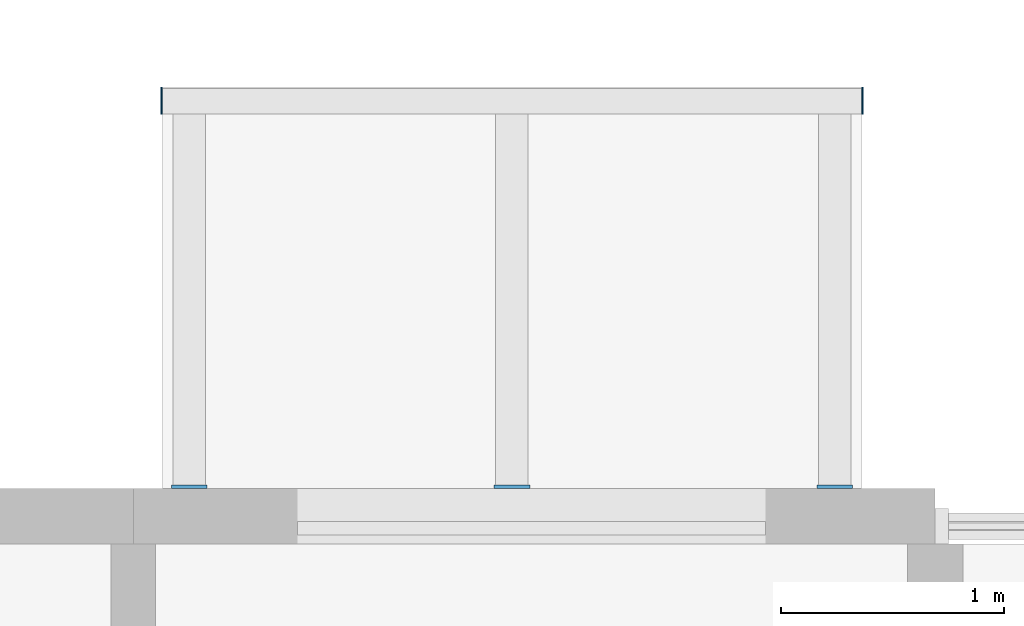
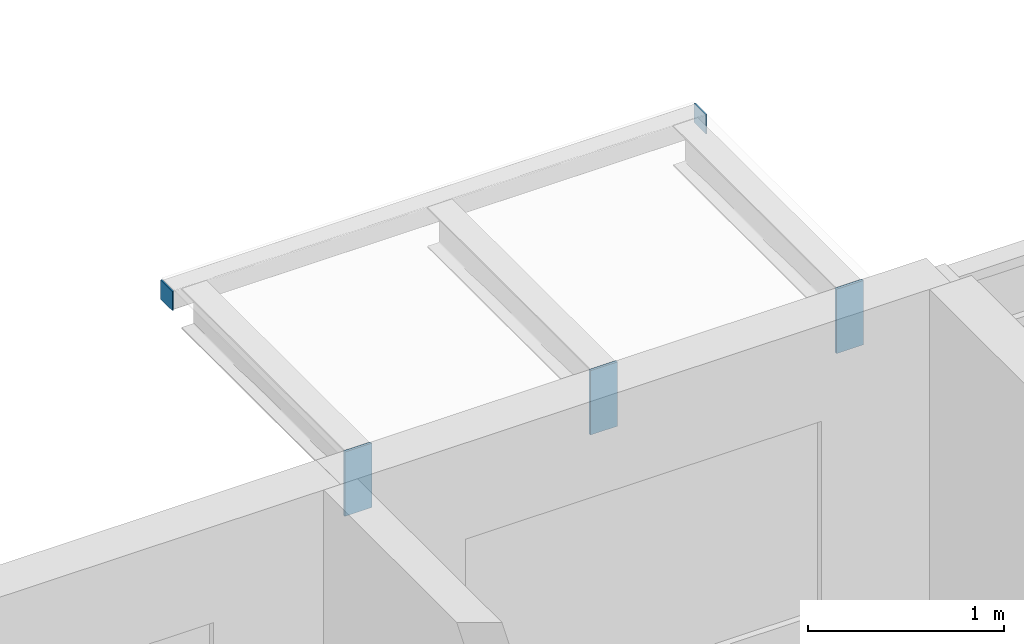
# One storey, part 81 of 115: 5 discrete accessories.
"""IFC4 building model written with IfcOpenShell, lengths in metres."""

import ifcopenshell
import ifcopenshell.guid

model = None  # the IFC model being written
_history = None  # IfcOwnerHistory: only IFC2X3 demands one
_inside = {}  # id of a spatial element -> (the spatial element, [elements in it])
_under = {}  # id of a project, library or spatial element -> (it, [spatial elements below it])
_declared = {}  # id of a project -> (the project, [libraries it declares])
_typed = {}  # id of a type object -> (the type object, [elements of that type])
_made_of = {}  # id of a material, layer set ... -> (it, [elements and type objects made of it])


def new_model(schema):
    """Start an empty IFC model of exactly this schema.

    Asked for "IFC4X3", IfcOpenShell would pick the latest addendum, in which some entities
    have other attributes; the version numbers below select the first issue.
    IFC2X3 requires an IfcOwnerHistory on every rooted entity: one is made here for all.
    """
    global model, _history
    if schema == "IFC4X3":
        model = ifcopenshell.file(schema_version=(4, 3, 0, 0))
    else:
        model = ifcopenshell.file(schema=schema)
    _inside.clear()
    _under.clear()
    _declared.clear()
    _typed.clear()
    _made_of.clear()
    _history = None
    if model.schema == "IFC2X3":
        org = make("IfcOrganization", Name="unknown")
        user = make(
            "IfcPersonAndOrganization",
            ThePerson=make("IfcPerson", FamilyName="unknown"),
            TheOrganization=org,
        )
        app = make(
            "IfcApplication",
            ApplicationDeveloper=org,
            Version="unknown",
            ApplicationFullName="unknown",
            ApplicationIdentifier="unknown",
        )
        _history = make(
            "IfcOwnerHistory",
            OwningUser=user,
            OwningApplication=app,
            ChangeAction="ADDED",
            CreationDate=0,
        )
    return model


def make(cls, **values):
    """One entity of the class cls with the attributes given. An attribute that is None is left unset."""
    return model.create_entity(
        cls, **{name: value for name, value in values.items() if value is not None}
    )


def rooted(cls, **values):
    """An entity with a GlobalId (a new one), such as an element, a storey or a relation."""
    return make(cls, GlobalId=ifcopenshell.guid.new(), OwnerHistory=_history, **values)


def si_unit(unit_type, name, prefix=None):
    """IfcSIUnit, for example si_unit("LENGTHUNIT", "METRE", prefix="MILLI")."""
    return make("IfcSIUnit", UnitType=unit_type, Prefix=prefix, Name=name)


def assignment(units):
    """IfcUnitAssignment: the units of a project."""
    return None if units is None else make("IfcUnitAssignment", Units=units)


def point(xyz):
    """IfcCartesianPoint."""
    return None if xyz is None else make("IfcCartesianPoint", Coordinates=xyz)


def direction(xyz):
    """IfcDirection."""
    return None if xyz is None else make("IfcDirection", DirectionRatios=xyz)


def frame(location, z_axis=None, x_axis=None):
    """IfcAxis2Placement3D, a coordinate frame: its origin and axes. An axis left out is left unset."""
    return make(
        "IfcAxis2Placement3D",
        Location=point(location),
        Axis=direction(z_axis),
        RefDirection=direction(x_axis),
    )


def frame_2d(location, x_axis=None):
    """IfcAxis2Placement2D, a coordinate frame in the plane: its origin and x axis."""
    return make(
        "IfcAxis2Placement2D", Location=point(location), RefDirection=direction(x_axis)
    )


def origin():
    """The frame at (0, 0, 0) with its axes left unset."""
    return frame((0.0, 0.0, 0.0))


def origin_2d():
    """The frame at (0, 0) in the plane with its x axis left unset."""
    return frame_2d((0.0, 0.0))


def place(relative_to, where):
    """IfcLocalPlacement: puts the frame where relative to a parent placement (None: the world)."""
    return make(
        "IfcLocalPlacement", PlacementRelTo=relative_to, RelativePlacement=where
    )


def context(
    kind, dimensions, precision=None, world=None, true_north=None, identifier=None
):
    """IfcGeometricRepresentationContext, for example the 3D "Model" context."""
    return make(
        "IfcGeometricRepresentationContext",
        ContextIdentifier=identifier,
        ContextType=kind,
        CoordinateSpaceDimension=dimensions,
        Precision=precision,
        WorldCoordinateSystem=world,
        TrueNorth=true_north,
    )


def subcontext(parent, identifier, kind, view, scale=None):
    """IfcGeometricRepresentationSubContext, for example "Body" below "Model"."""
    return make(
        "IfcGeometricRepresentationSubContext",
        ContextIdentifier=identifier,
        ContextType=kind,
        ParentContext=parent,
        TargetScale=scale,
        TargetView=view,
    )


def project(units=None, contexts=None):
    """IfcProject with its units and contexts."""
    return rooted(
        "IfcProject",
        Name="project",
        RepresentationContexts=contexts,
        UnitsInContext=assignment(units),
    )


def spatial(cls, under=None, at=None, **own):
    """A site, building, storey or space (cls), placed at a placement, below another one or the project."""
    s = rooted(cls, ObjectPlacement=at, **own)
    if under is not None:
        _under.setdefault(under.id(), (under, []))[1].append(s)
    return s


def profile(cls, at=None, kind="AREA", **sizes):
    """A parametric profile (cls). Its sizes go by their IFC names, for example OverallWidth=200.0."""
    return make(cls, ProfileType=kind, Position=at, **sizes)


def rectangle(**sizes):
    """IfcRectangleProfileDef."""
    return profile("IfcRectangleProfileDef", **sizes)


def extrude(swept, where, along, depth):
    """IfcExtrudedAreaSolid: the profile swept, set in the frame where, extruded along a direction by depth."""
    return make(
        "IfcExtrudedAreaSolid",
        SweptArea=swept,
        Position=where,
        ExtrudedDirection=direction(along),
        Depth=depth,
    )


def shape(context_of_items, identifier, shape_type, items):
    """IfcShapeRepresentation: the items that make up one representation, for example the "Body"."""
    return make(
        "IfcShapeRepresentation",
        ContextOfItems=context_of_items,
        RepresentationIdentifier=identifier,
        RepresentationType=shape_type,
        Items=items,
    )


def material(Name=None, Category=None):
    """IfcMaterial."""
    return make("IfcMaterial", Name=Name, Category=Category)


def layer(
    of_material, thickness, ventilated=None, Name=None, Category=None, Priority=None
):
    """IfcMaterialLayer: one layer of a wall or slab, of a material (None: an air gap)."""
    return make(
        "IfcMaterialLayer",
        Material=of_material,
        LayerThickness=thickness,
        IsVentilated=ventilated,
        Name=Name,
        Category=Category,
        Priority=Priority,
    )


def layer_set(layers, Name=None):
    """IfcMaterialLayerSet."""
    return make("IfcMaterialLayerSet", MaterialLayers=layers, LayerSetName=Name)


def made_of(thing, what):
    """Note that an element or type object is made of a material, layer set ...; save() writes the relation."""
    if what is not None:
        _made_of.setdefault(what.id(), (what, []))[1].append(thing)
    return thing


def type_object(cls, material=None, **own):
    """A type object (cls), such as IfcWallType, which elements share."""
    return made_of(rooted(cls, **own), material)


def element(
    cls,
    number,
    at=None,
    inside=None,
    cuts=None,
    type_object=None,
    material=None,
    context=None,
    identifier="Body",
    shape_type=None,
    held_by="IfcProductDefinitionShape",
    body=None,
    shapes=None,
    **own,
):
    """One element of the class cls, such as IfcWall. Its Tag is "e" and its number.

    at: its placement. inside: the storey or other place that contains it. cuts: it is an
    opening in that element (IfcRelVoidsElement). A single representation is given by context,
    identifier, shape_type and body (its items); several are given by shapes. held_by: the class
    of the entity that holds the representations. save() writes the other relations.
    """
    e = rooted(cls, Tag="e%d" % number, ObjectPlacement=at, **own)
    if body is not None:
        shapes = [shape(context, identifier, shape_type, body)]
    if shapes is not None:
        e.Representation = make(held_by, Representations=shapes)
    if inside is not None:
        _inside.setdefault(inside.id(), (inside, []))[1].append(e)
    if cuts is not None:
        rooted(
            "IfcRelVoidsElement", RelatingBuildingElement=cuts, RelatedOpeningElement=e
        )
    if type_object is not None:
        _typed.setdefault(type_object.id(), (type_object, []))[1].append(e)
    return made_of(e, material)


def aggregate(whole, parts):
    """IfcRelAggregates: a whole, such as a stair, and the parts it consists of."""
    return rooted("IfcRelAggregates", RelatingObject=whole, RelatedObjects=parts)


def save(model, path):
    """Write the relations noted so far, then the file.

    IfcRelAggregates (storeys below a building ...), IfcRelContainedInSpatialStructure (elements
    in a storey), IfcRelDefinesByType, IfcRelAssociatesMaterial and IfcRelDeclares: one each for
    every whole, place, type object, material and project.
    """
    for whole, parts in _under.values():
        aggregate(whole, parts)
    for where, things in _inside.values():
        rooted(
            "IfcRelContainedInSpatialStructure",
            RelatedElements=things,
            RelatingStructure=where,
        )
    for kind, things in _typed.values():
        rooted("IfcRelDefinesByType", RelatedObjects=things, RelatingType=kind)
    for what, things in _made_of.values():
        rooted("IfcRelAssociatesMaterial", RelatedObjects=things, RelatingMaterial=what)
    for by, libraries in _declared.values():
        rooted("IfcRelDeclares", RelatingContext=by, RelatedDefinitions=libraries)
    model.write(path)


model = new_model("IFC4")

# Units and contexts
model_context = context("Model", 3, precision=1e-05, world=origin(), true_north=direction((0.0, 1.0)))
body_context = subcontext(model_context, "Body", "Model", "MODEL_VIEW")
ifc_project = project(units=[si_unit("LENGTHUNIT", "METRE"), si_unit("AREAUNIT", "SQUARE_METRE"), si_unit("VOLUMEUNIT", "CUBIC_METRE"), si_unit("PLANEANGLEUNIT", "RADIAN"), si_unit("MASSUNIT", "GRAM", prefix="KILO")], contexts=[model_context])

# Site, building, storey
site_placement = place(None, origin())
site = spatial("IfcSite", under=ifc_project, at=site_placement, CompositionType="ELEMENT")
building_placement = place(site_placement, origin())
building = spatial("IfcBuilding", under=site, at=building_placement, Name="Ridgestep Commons", CompositionType="ELEMENT")
storey_placement = place(building_placement, frame((0.0, 0.0, 6.0)))
storey = spatial("IfcBuildingStorey", under=building, at=storey_placement, Name="L02", CompositionType="ELEMENT", Elevation=6.0)

# Discrete accessories
ifc_material_1 = material(Name="Weathering steel S355J2W", Category="steel")
ifc_layer_1 = layer(ifc_material_1, 0.014892578125)
ifc_layer_set_1 = layer_set([ifc_layer_1], Name="Tray bracket plate 15")
discrete_accessory_type_1 = type_object("IfcDiscreteAccessoryType", Name="Tray bracket plate 15", PredefinedType="BRACKET", material=ifc_layer_set_1)
for number, where, z_axis, x_axis, name in (
    (1, (19.449951171875, 77.257568359375, 2.588623046875), (0.0, 0.0, 1.0), (1.0, 0.0, 0.0), "Tray bracket B1T3-03.1"),
    (2, (20.89990234375, 77.257568359375, 2.588623046875), (0.0, 0.0, 1.0), (1.0, 0.0, 0.0), "Tray bracket B1T3-03.2"),
    (3, (22.35009765625, 77.257568359375, 2.588623046875), (0.0, 0.0, 1.0), (1.0, 0.0, 0.0), "Tray bracket B1T3-03.3"),
):
    element("IfcDiscreteAccessory", number, at=place(storey_placement, frame(where, z_axis=z_axis, x_axis=x_axis)), inside=storey, type_object=discrete_accessory_type_1, Name=name, PredefinedType="BRACKET", context=body_context, shape_type="SweptSolid", body=[
        extrude(rectangle(XDim=0.159912109375, YDim=0.014892578125, at=origin_2d()), origin(), (0.0, 0.0, 1.0), 0.4013671875),
    ])
ifc_material_2 = material(Name="Weathering steel S355J2W", Category="steel")
ifc_layer_2 = layer(ifc_material_2, 0.008056640625)
ifc_layer_set_2 = layer_set([ifc_layer_2], Name="Tray edge member end plate 120 x 120 x 8")
discrete_accessory_type_2 = type_object("IfcDiscreteAccessoryType", Name="Tray edge member end plate 120 x 120 x 8", PredefinedType="BRACKET", material=ifc_layer_set_2)
for number, where, z_axis, x_axis, name in (
    (4, (19.325927734375, 78.989990234375, 2.869873046875), (0.0, 0.0, 1.0), (1.0, 0.0, 0.0), "Tray edge member end plate B1T3-03 west"),
    (5, (22.47412109375, 78.989990234375, 2.869873046875), (0.0, 0.0, 1.0), (1.0, 0.0, 0.0), "Tray edge member end plate B1T3-03 east"),
):
    element("IfcDiscreteAccessory", number, at=place(storey_placement, frame(where, z_axis=z_axis, x_axis=x_axis)), inside=storey, type_object=discrete_accessory_type_2, Name=name, PredefinedType="BRACKET", context=body_context, shape_type="SweptSolid", body=[
        extrude(rectangle(XDim=0.008056640625, YDim=0.1201171875, at=origin_2d()), origin(), (0.0, 0.0, 1.0), 0.1201171875),
    ])

save(model, "model.ifc")
